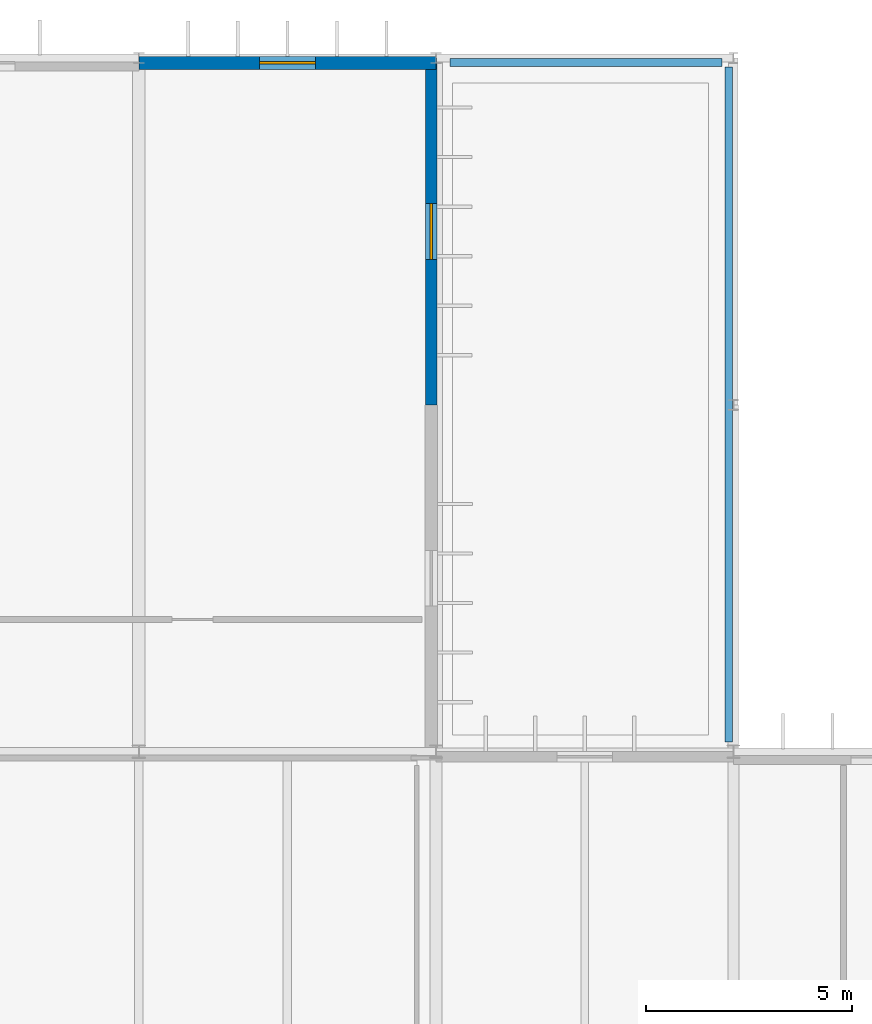
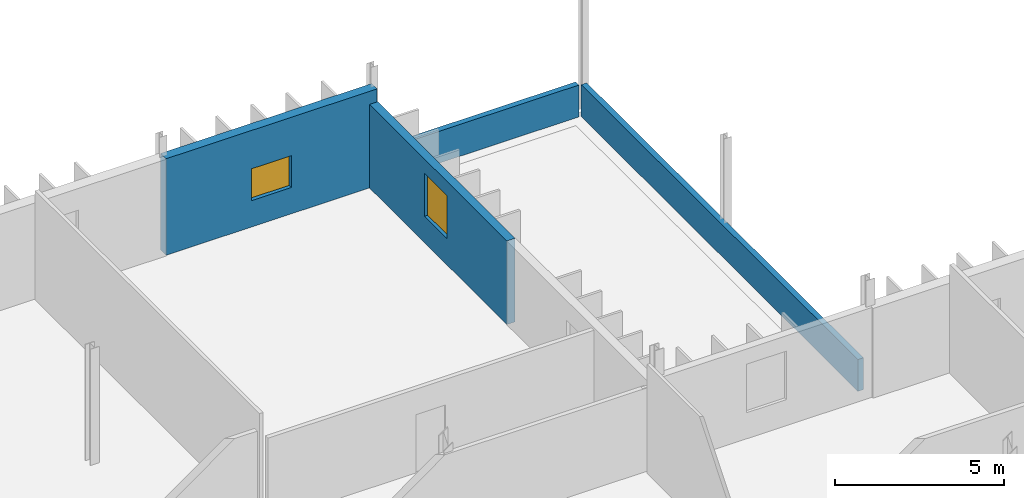
# One storey, part 102 of 119: 4 walls, 2 windows, 2 openings.
"""IFC4 building model written with IfcOpenShell, lengths in metres."""

from ifc_helpers import new_model, si_unit, direction, frame, frame_2d, origin, place, context, subcontext, project, spatial, rectangle, extrude, material, layer, layer_set, type_object, element, fill, save


model = new_model("IFC4")

# Units and contexts
model_context = context("Model", 3, precision=1e-05, world=origin(), true_north=direction((0.0, 1.0)))
body_context = subcontext(model_context, "Body", "Model", "MODEL_VIEW")
ifc_project = project(units=[si_unit("LENGTHUNIT", "METRE"), si_unit("AREAUNIT", "SQUARE_METRE"), si_unit("VOLUMEUNIT", "CUBIC_METRE"), si_unit("PLANEANGLEUNIT", "RADIAN"), si_unit("MASSUNIT", "GRAM", prefix="KILO")], contexts=[model_context])

# Site, building, storey
site_placement = place(None, origin())
site = spatial("IfcSite", under=ifc_project, at=site_placement, CompositionType="ELEMENT")
building_placement = place(site_placement, origin())
building = spatial("IfcBuilding", under=site, at=building_placement, Name="Qelthora Terrace Specialist Clinic", CompositionType="ELEMENT")
storey_placement = place(building_placement, frame((0.0, 0.0, 4.800048828125)))
storey = spatial("IfcBuildingStorey", under=building, at=storey_placement, Name="L01", CompositionType="ELEMENT", Elevation=4.800048828125)

# Wall, opening, window
ifc_material_1 = material(Name="Precast concrete C40/50", Category="concrete")
ifc_layer_1 = layer(ifc_material_1, 0.280029296875)
ifc_layer_set_1 = layer_set([ifc_layer_1], Name="Precast concrete C40/50")
wall_type_1 = type_object("IfcWallType", Name="WAL-EXT-280-PC40", PredefinedType="SOLIDWALL", material=ifc_layer_set_1)
wall_1_placement = place(storey_placement, frame((136.679931640625, 100.800048828125, 0.0), z_axis=(0.0, 0.0, 1.0), x_axis=(0.0, 1.0, 0.0)))
wall_1 = element("IfcWall", 1, at=wall_1_placement, inside=storey, type_object=wall_type_1, Name="L01 external precast wall 168", PredefinedType="SOLIDWALL", context=body_context, shape_type="SweptSolid", body=[
    extrude(rectangle(XDim=8.39990234375, YDim=0.280029296875, at=frame_2d((4.199951171875, 0.0))), origin(), (0.0, 0.0, 1.0), 3.014892578125),
])
opening_1_placement = place(wall_1_placement, frame((3.52490234375, 0.0, 0.949951171875)))
opening_1 = element("IfcOpeningElement", 2, at=opening_1_placement, cuts=wall_1, Name="Opening WN-L01-139", PredefinedType="OPENING", context=body_context, shape_type="SweptSolid", body=[
    extrude(rectangle(XDim=1.35009765625, YDim=1.550048828125, at=frame_2d((0.675048828125, 0.77490234375))), frame((0.0, 0.14990234375, 0.0), z_axis=(0.0, -1.0, 0.0), x_axis=(1.0, 0.0, 0.0)), (0.0, 0.0, 1.0), 0.300048828125),
])
ifc_material_2 = material(Name="Low-E triple-silver insulating glass", Category="glass")
window_type_1 = type_object("IfcWindowType", Name="WIN-1350X1550", PartitioningType="SINGLE_PANEL", PredefinedType="WINDOW", material=ifc_material_2)
window_1_placement = place(opening_1_placement, origin())
window_1 = element("IfcWindow", 3, at=window_1_placement, inside=storey, type_object=window_type_1, Name="Clinical window WN-L01-139", OverallHeight=1.550048828125, OverallWidth=1.35009765625, PartitioningType="SINGLE_PANEL", PredefinedType="WINDOW", context=body_context, shape_type="SweptSolid", body=[
    extrude(rectangle(XDim=1.35009765625, YDim=1.550048828125, at=frame_2d((0.675048828125, 0.77490234375))), frame((0.0, 0.030029296875, 0.0), z_axis=(0.0, -1.0, 0.0), x_axis=(1.0, 0.0, 0.0)), (0.0, 0.0, 1.0), 0.06005859375),
])
fill(opening_1, window_1)

ifc_layer_2 = layer(ifc_material_1, 0.320068359375)
ifc_layer_set_2 = layer_set([ifc_layer_2], Name="Precast concrete C40/50")
wall_type_2 = type_object("IfcWallType", Name="WAL-EXT-320-PC40", PredefinedType="SOLIDWALL", material=ifc_layer_set_2)
wall_2_placement = place(storey_placement, frame((129.60009765625, 109.080078125, 0.0), z_axis=(0.0, 0.0, 1.0), x_axis=(1.0, 0.0, 0.0)))
wall_2 = element("IfcWall", 4, at=wall_2_placement, inside=storey, type_object=wall_type_2, Name="L01 external precast wall 166", PredefinedType="SOLIDWALL", context=body_context, shape_type="SweptSolid", body=[
    extrude(rectangle(XDim=7.199951171875, YDim=0.320068359375, at=frame_2d((3.60009765625, 0.0))), origin(), (0.0, 0.0, 1.0), 3.48193359375),
])
opening_2_placement = place(wall_2_placement, frame((2.925048828125, 0.0, 0.949951171875)))
opening_2 = element("IfcOpeningElement", 5, at=opening_2_placement, cuts=wall_2, Name="Opening WN-L01-137", PredefinedType="OPENING", context=body_context, shape_type="SweptSolid", body=[
    extrude(rectangle(XDim=1.35009765625, YDim=1.14990234375, at=frame_2d((0.675048828125, 0.574951171875))), frame((0.0, 0.169921875, 0.0), z_axis=(0.0, -1.0, 0.0), x_axis=(1.0, 0.0, 0.0)), (0.0, 0.0, 1.0), 0.340087890625),
])
window_type_2 = type_object("IfcWindowType", Name="WIN-1350X1150", PartitioningType="SINGLE_PANEL", PredefinedType="WINDOW", material=ifc_material_2)
window_2_placement = place(opening_2_placement, origin())
window_2 = element("IfcWindow", 6, at=window_2_placement, inside=storey, type_object=window_type_2, Name="Clinical window WN-L01-137", OverallHeight=1.14990234375, OverallWidth=1.35009765625, PartitioningType="SINGLE_PANEL", PredefinedType="WINDOW", context=body_context, shape_type="SweptSolid", body=[
    extrude(rectangle(XDim=1.35009765625, YDim=1.14990234375, at=frame_2d((0.675048828125, 0.574951171875))), frame((0.0, 0.030029296875, 0.0), z_axis=(0.0, -1.0, 0.0), x_axis=(1.0, 0.0, 0.0)), (0.0, 0.0, 1.0), 0.06005859375),
])
fill(opening_2, window_2)

# Walls
ifc_layer_3 = layer(ifc_material_1, 0.18994140625)
ifc_layer_set_3 = layer_set([ifc_layer_3], Name="Precast concrete C40/50")
wall_type_3 = type_object("IfcWallType", Name="WAL-PAR-190-PC40", PredefinedType="PARAPET", material=ifc_layer_set_3)
wall_3_placement = place(storey_placement, frame((143.889892578125, 108.97998046875, 0.0), z_axis=(0.0, 0.0, 1.0), x_axis=(0.0, -1.0, 0.0)))
element("IfcWall", 7, at=wall_3_placement, inside=storey, type_object=wall_type_3, Name="Roof perimeter parapet ROOF-V6-STP1-1-1", PredefinedType="PARAPET", context=body_context, shape_type="SweptSolid", body=[
    extrude(rectangle(XDim=16.346923828125, YDim=0.18994140625, at=frame_2d((8.17333984375, 0.0))), origin(), (0.0, 0.0, 1.0), 1.14990234375),
])
wall_4_placement = place(storey_placement, frame((137.139404296875, 109.090087890625, 0.0), z_axis=(0.0, 0.0, 1.0), x_axis=(1.0, 0.0, 0.0)))
element("IfcWall", 8, at=wall_4_placement, inside=storey, type_object=wall_type_3, Name="Roof perimeter parapet ROOF-V6-STP1-1-2", PredefinedType="PARAPET", context=body_context, shape_type="SweptSolid", body=[
    extrude(rectangle(XDim=6.58349609375, YDim=0.18994140625, at=frame_2d((3.291748046875, 0.0))), origin(), (0.0, 0.0, 1.0), 1.14990234375),
])

save(model, "model.ifc")
